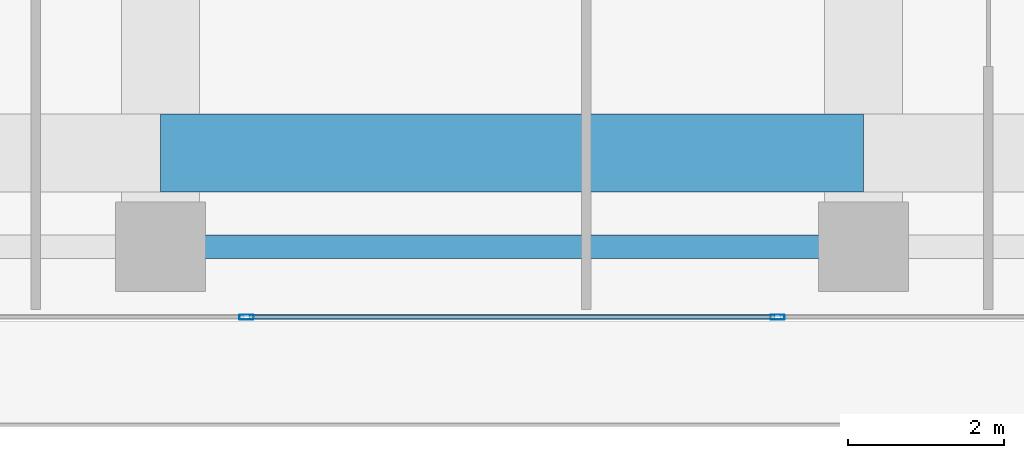
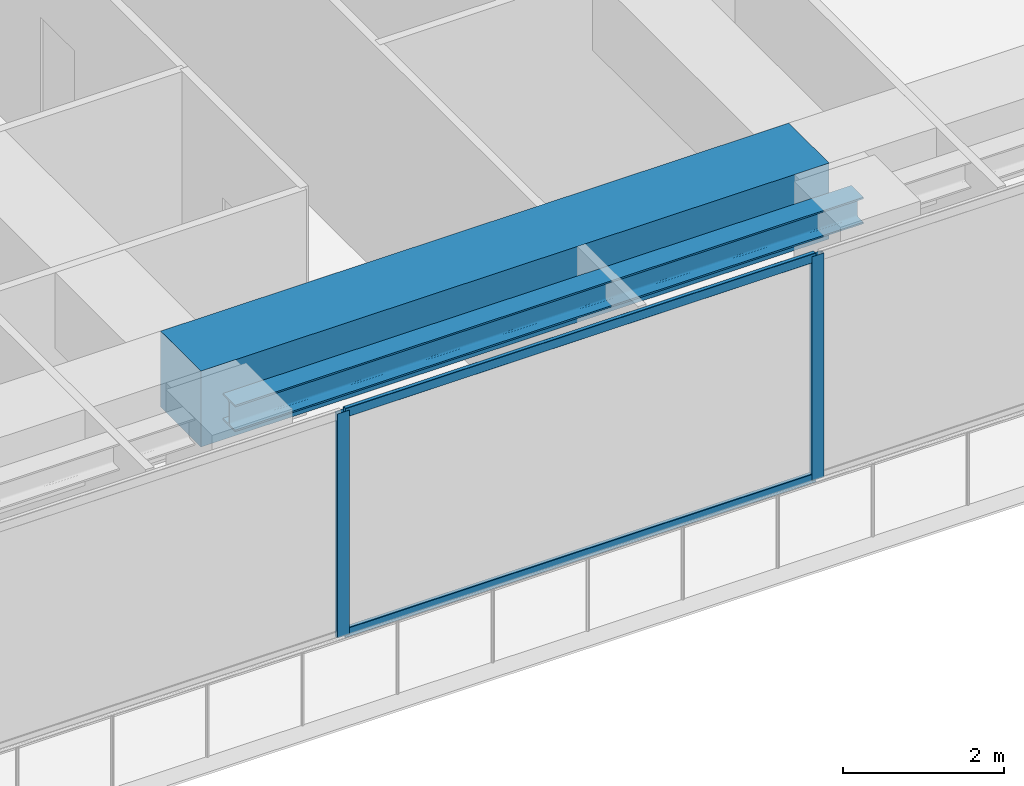
# One storey, part 7 of 39: 4 members, 2 beams, 1 element without a shape of its own.
"""IFC4 building model written with IfcOpenShell, lengths in metres."""

from ifc_helpers import new_model, si_unit, direction, frame, origin, origin_2d, place, context, subcontext, project, spatial, rectangle, hollow_rectangle, i_section, extrude, source, transform, mapped, material, layer, layer_set, material_profile, profile_set, type_object, element, aggregate, save


model = new_model("IFC4")

# Units and contexts
model_context = context("Model", 3, precision=1e-05, world=origin(), true_north=direction((0.0, 1.0)))
body_context = subcontext(model_context, "Body", "Model", "MODEL_VIEW")
ifc_project = project(units=[si_unit("LENGTHUNIT", "METRE"), si_unit("AREAUNIT", "SQUARE_METRE"), si_unit("VOLUMEUNIT", "CUBIC_METRE"), si_unit("PLANEANGLEUNIT", "RADIAN"), si_unit("MASSUNIT", "GRAM", prefix="KILO")], contexts=[model_context])

# Site, building, storey
site_placement = place(None, origin())
site = spatial("IfcSite", under=ifc_project, at=site_placement, CompositionType="ELEMENT")
building_placement = place(site_placement, origin())
building = spatial("IfcBuilding", under=site, at=building_placement, Name="Serunith Strait Residences", CompositionType="ELEMENT")
storey_placement = place(building_placement, frame((0.0, 0.0, 283.60009765625)))
storey = spatial("IfcBuildingStorey", under=building, at=storey_placement, Name="L71", CompositionType="ELEMENT", Elevation=283.60009765625)

# Beams
ifc_material_1 = material(Name="Concrete C80/95", Category="concrete")
ifc_material_profile_1 = material_profile(ifc_material_1, rectangle(XDim=1.0, YDim=1.14990234375, at=origin_2d()), Name="RC 1000x1150")
ifc_profile_set_1 = profile_set([ifc_material_profile_1], Name="Concrete C80/95")
beam_type_1 = type_object("IfcBeamType", Name="BM-XFER-1000x1150", PredefinedType="BEAM", material=ifc_profile_set_1)
shared_shape_1 = source(origin(), body_context, "Body", "SweptSolid", [
    extrude(rectangle(XDim=1.0, YDim=1.14990234375, at=origin_2d()), origin(), (0.0, 0.0, 1.0), 9.0),
])
beam_1_placement = place(storey_placement, frame((27.89990234375, 3.300048828125, 2.8349609375), z_axis=(1.0, 0.0, 0.0), x_axis=(0.0, 1.0, 0.0)))
element("IfcBeam", 1, at=beam_1_placement, inside=storey, type_object=beam_type_1, Name="L71 Flare Upper Ring Transfer Girder 02", PredefinedType="BEAM", context=body_context, shape_type="MappedRepresentation", body=[
    mapped(shared_shape_1, transform((0.0, 0.0, 0.0), scale=1.0)),
])
ifc_material_2 = material(Name="Steel S355J2", Category="steel")
ifc_material_profile_2 = material_profile(ifc_material_2, i_section(OverallWidth=0.300048828125, OverallDepth=0.39990234375, WebThickness=0.013427734375, FlangeThickness=0.02392578125, FilletRadius=0.027099609375, at=origin_2d()), Name="HEB 400")
ifc_profile_set_2 = profile_set([ifc_material_profile_2], Name="Steel S355J2")
beam_type_2 = type_object("IfcBeamType", Name="BM-HEB400", PredefinedType="BEAM", material=ifc_profile_set_2)
shared_shape_2 = source(origin(), body_context, "Body", "SweptSolid", [
    extrude(i_section(OverallWidth=0.300048828125, OverallDepth=0.39990234375, WebThickness=0.013427734375, FlangeThickness=0.02392578125, FilletRadius=0.027099609375, at=origin_2d()), origin(), (0.0, 0.0, 1.0), 9.0),
])
beam_2_placement = place(storey_placement, frame((27.89990234375, 2.10009765625, 3.206787109375), z_axis=(1.0, 0.0, 0.0), x_axis=(0.0, 1.0, 0.0)))
element("IfcBeam", 2, at=beam_2_placement, inside=storey, type_object=beam_type_2, Name="L71 Perimeter Ring Beam 02", PredefinedType="BEAM", context=body_context, shape_type="MappedRepresentation", body=[
    mapped(shared_shape_2, transform((0.0, 0.0, 0.0), scale=1.0)),
])

# Curtain wall, members
ifc_material_3 = material(Name="Pale-Champagne Anodised Aluminium", Category="aluminium")
ifc_layer = layer(ifc_material_3, 0.199951171875, Name="Pale-Champagne Anodised Aluminium")
ifc_layer_set = layer_set([ifc_layer], Name="Pale-Champagne Anodised Aluminium")
curtain_wall_type = type_object("IfcCurtainWallType", Name="CW-SYS4", PredefinedType="NOTDEFINED", material=ifc_layer_set)
curtain_wall_placement = place(storey_placement, origin())
curtain_wall = element("IfcCurtainWall", 3, at=curtain_wall_placement, inside=storey, type_object=curtain_wall_type, Name="L71 S Unitised Fritted Curtain Wall", PredefinedType="NOTDEFINED")
ifc_material_profile_3 = material_profile(ifc_material_3, hollow_rectangle(XDim=0.06005859375, YDim=0.139892578125, WallThickness=0.00341796875, InnerFilletRadius=0.00537109375, OuterFilletRadius=0.0087890625, at=origin_2d()), Name="ALU 140x60x3.5")
ifc_profile_set_3 = profile_set([ifc_material_profile_3], Name="Pale-Champagne Anodised Aluminium")
member_type_1 = type_object("IfcMemberType", Name="CW-SYS4-TRAN", PredefinedType="USERDEFINED", material=ifc_profile_set_3)
shared_shape_3 = source(origin(), body_context, "Body", "SweptSolid", [
    extrude(hollow_rectangle(XDim=0.06005859375, YDim=0.139892578125, WallThickness=0.00341796875, InnerFilletRadius=0.00537109375, OuterFilletRadius=0.0087890625, at=origin_2d()), origin(), (0.0, 0.0, 1.0), 6.735107421875),
])
member_1_placement = place(storey_placement, frame((29.032470703125, 1.199951171875, 0.02978515625), z_axis=(1.0, 0.0, 0.0), x_axis=(0.0, 1.0, 0.0)))
member_1 = element("IfcMember", 4, at=member_1_placement, type_object=member_type_1, Name="CW-4 transom 3.1", ObjectType="TRANSOM", PredefinedType="USERDEFINED", context=body_context, shape_type="MappedRepresentation", body=[
    mapped(shared_shape_3, transform((0.0, 0.0, 0.0), scale=1.0)),
])
member_2_placement = place(storey_placement, frame((29.032470703125, 1.199951171875, 3.364990234375), z_axis=(1.0, 0.0, 0.0), x_axis=(0.0, 1.0, 0.0)))
member_2 = element("IfcMember", 5, at=member_2_placement, type_object=member_type_1, Name="CW-4 transom 3.2", ObjectType="TRANSOM", PredefinedType="USERDEFINED", context=body_context, shape_type="MappedRepresentation", body=[
    mapped(shared_shape_3, transform((0.0, 0.0, 0.0), scale=1.0)),
])
ifc_material_profile_4 = material_profile(ifc_material_3, hollow_rectangle(XDim=0.06494140625, YDim=0.179931640625, WallThickness=0.00341796875, InnerFilletRadius=0.00537109375, OuterFilletRadius=0.0087890625, at=origin_2d()), Name="ALU 180x65x3.5")
ifc_profile_set_4 = profile_set([ifc_material_profile_4], Name="Pale-Champagne Anodised Aluminium")
member_type_2 = type_object("IfcMemberType", Name="CW-SYS4-MULL", PredefinedType="MULLION", material=ifc_profile_set_4)
shared_shape_4 = source(origin(), body_context, "Body", "SweptSolid", [
    extrude(hollow_rectangle(XDim=0.06494140625, YDim=0.179931640625, WallThickness=0.00341796875, InnerFilletRadius=0.00537109375, OuterFilletRadius=0.0087890625, at=origin_2d()), origin(), (0.0, 0.0, 1.0), 3.39501953125),
])
member_3_placement = place(storey_placement, frame((29.0, 1.199951171875, 0.0), z_axis=(0.0, 0.0, 1.0), x_axis=(0.0, 1.0, 0.0)))
member_3 = element("IfcMember", 6, at=member_3_placement, type_object=member_type_2, Name="CW-4 mullion 3", PredefinedType="MULLION", context=body_context, shape_type="MappedRepresentation", body=[
    mapped(shared_shape_4, transform((0.0, 0.0, 0.0), scale=1.0)),
])
member_4_placement = place(storey_placement, frame((35.800048828125, 1.199951171875, 0.0), z_axis=(0.0, 0.0, 1.0), x_axis=(0.0, 1.0, 0.0)))
member_4 = element("IfcMember", 7, at=member_4_placement, type_object=member_type_2, Name="CW-4 mullion 4", PredefinedType="MULLION", context=body_context, shape_type="MappedRepresentation", body=[
    mapped(shared_shape_4, transform((0.0, 0.0, 0.0), scale=1.0)),
])
aggregate(curtain_wall, [member_3, member_4, member_1, member_2])

save(model, "model.ifc")
